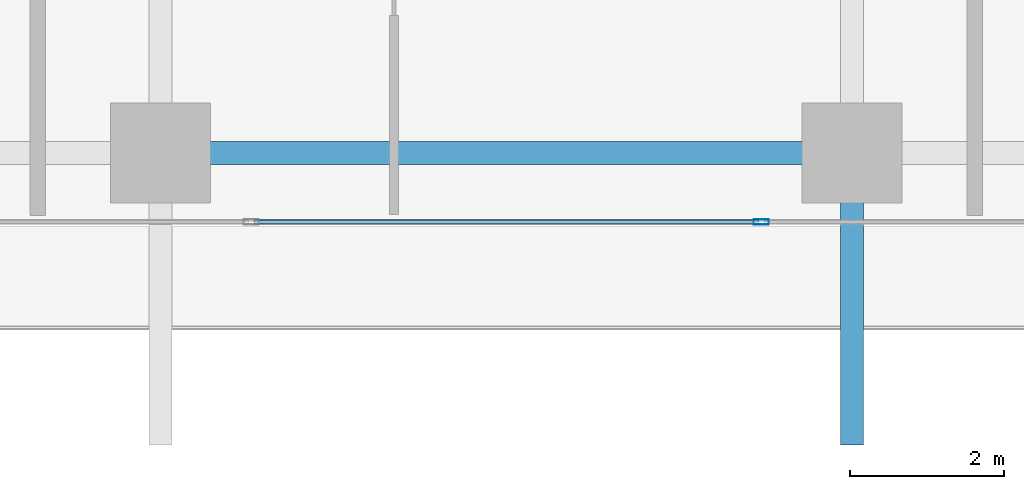
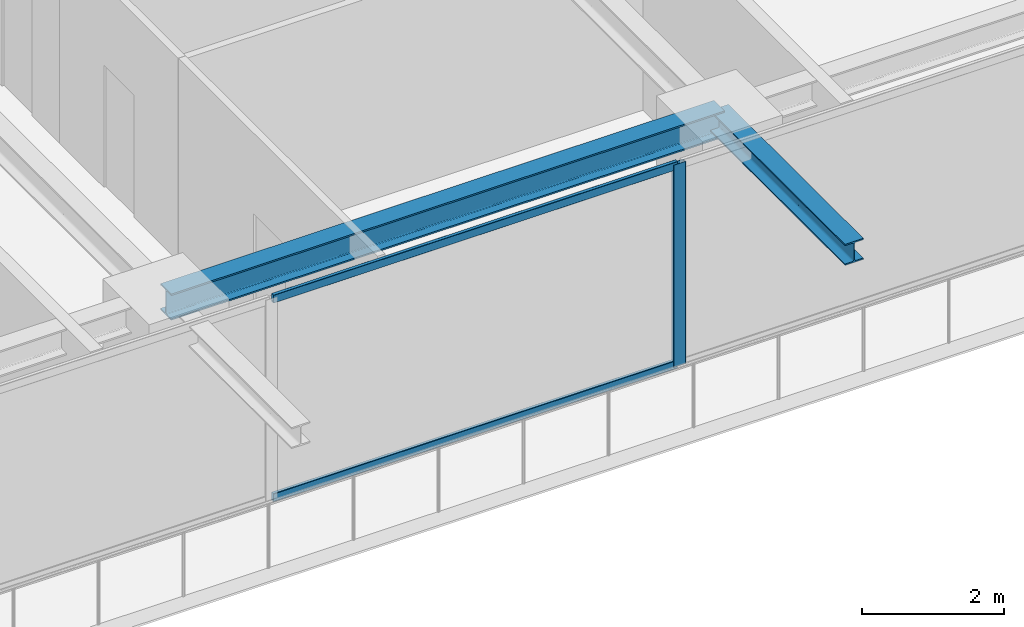
# One storey, part 6 of 37: 3 members, 2 beams, 1 element without a shape of its own.
"""IFC4 building model written with IfcOpenShell, lengths in metres."""

from ifc_helpers import new_model, si_unit, direction, frame, origin, origin_2d, place, context, subcontext, project, spatial, hollow_rectangle, i_section, extrude, source, transform, mapped, material, layer, layer_set, material_profile, profile_set, type_object, element, aggregate, save


model = new_model("IFC4")

# Units and contexts
model_context = context("Model", 3, precision=1e-05, world=origin(), true_north=direction((0.0, 1.0)))
body_context = subcontext(model_context, "Body", "Model", "MODEL_VIEW")
ifc_project = project(units=[si_unit("LENGTHUNIT", "METRE"), si_unit("AREAUNIT", "SQUARE_METRE"), si_unit("VOLUMEUNIT", "CUBIC_METRE"), si_unit("PLANEANGLEUNIT", "RADIAN"), si_unit("MASSUNIT", "GRAM", prefix="KILO")], contexts=[model_context])

# Site, building, storey
site_placement = place(None, origin())
site = spatial("IfcSite", under=ifc_project, at=site_placement, CompositionType="ELEMENT")
building_placement = place(site_placement, origin())
building = spatial("IfcBuilding", under=site, at=building_placement, Name="Serunith Strait Residences", CompositionType="ELEMENT")
storey_placement = place(building_placement, frame((0.0, 0.0, 127.64990234375)))
storey = spatial("IfcBuildingStorey", under=building, at=storey_placement, Name="L31", CompositionType="ELEMENT", Elevation=127.64990234375)

# Beams
ifc_material_1 = material(Name="Steel S355J2", Category="steel")
ifc_material_profile_1 = material_profile(ifc_material_1, i_section(OverallWidth=0.300048828125, OverallDepth=0.449951171875, WebThickness=0.013916015625, FlangeThickness=0.02587890625, FilletRadius=0.027099609375, at=origin_2d()), Name="HEB 450")
ifc_profile_set_1 = profile_set([ifc_material_profile_1], Name="Steel S355J2")
beam_type_1 = type_object("IfcBeamType", Name="BM-HEB450", PredefinedType="BEAM", material=ifc_profile_set_1)
shared_shape_1 = source(origin(), body_context, "Body", "SweptSolid", [
    extrude(i_section(OverallWidth=0.300048828125, OverallDepth=0.449951171875, WebThickness=0.013916015625, FlangeThickness=0.02587890625, FilletRadius=0.027099609375, at=origin_2d()), origin(), (0.0, 0.0, 1.0), 9.0),
])
beam_1_placement = place(storey_placement, frame((27.89990234375, 2.300048828125, 3.26220703125), z_axis=(1.0, 0.0, 0.0), x_axis=(0.0, 1.0, 0.0)))
element("IfcBeam", 1, at=beam_1_placement, inside=storey, type_object=beam_type_1, Name="L31 Perimeter Ring Beam 02", PredefinedType="BEAM", context=body_context, shape_type="MappedRepresentation", body=[
    mapped(shared_shape_1, transform((0.0, 0.0, 0.0), scale=1.0)),
])
ifc_material_profile_2 = material_profile(ifc_material_1, i_section(OverallWidth=0.300048828125, OverallDepth=0.360107421875, WebThickness=0.012451171875, FlangeThickness=0.0224609375, FilletRadius=0.027099609375, at=origin_2d()), Name="HEB 360")
ifc_profile_set_2 = profile_set([ifc_material_profile_2], Name="Steel S355J2")
beam_type_2 = type_object("IfcBeamType", Name="BM-HEB360", PredefinedType="BEAM", material=ifc_profile_set_2)
shared_shape_2 = source(origin(), body_context, "Body", "SweptSolid", [
    extrude(i_section(OverallWidth=0.300048828125, OverallDepth=0.360107421875, WebThickness=0.012451171875, FlangeThickness=0.0224609375, FilletRadius=0.027099609375, at=origin_2d()), origin(), (0.0, 0.0, 1.0), 3.800048828125),
])
beam_2_placement = place(storey_placement, frame((36.89990234375, 2.300048828125, 3.277099609375), z_axis=(0.0, -1.0, 0.0), x_axis=(1.0, 0.0, 0.0)))
element("IfcBeam", 2, at=beam_2_placement, inside=storey, type_object=beam_type_2, Name="L32 Cantilevered Balcony Rib TC-S3", PredefinedType="BEAM", context=body_context, shape_type="MappedRepresentation", body=[
    mapped(shared_shape_2, transform((0.0, 0.0, 0.0), scale=1.0)),
])

# Curtain wall, members
ifc_material_2 = material(Name="Pale-Champagne Anodised Aluminium", Category="aluminium")
ifc_layer = layer(ifc_material_2, 0.199951171875, Name="Pale-Champagne Anodised Aluminium")
ifc_layer_set = layer_set([ifc_layer], Name="Pale-Champagne Anodised Aluminium")
curtain_wall_type = type_object("IfcCurtainWallType", Name="CW-SYS2", PredefinedType="NOTDEFINED", material=ifc_layer_set)
curtain_wall_placement = place(storey_placement, origin())
curtain_wall = element("IfcCurtainWall", 3, at=curtain_wall_placement, inside=storey, type_object=curtain_wall_type, Name="L31 S Unitised Fritted Curtain Wall", PredefinedType="NOTDEFINED")
ifc_material_profile_3 = material_profile(ifc_material_2, hollow_rectangle(XDim=0.070068359375, YDim=0.199951171875, WallThickness=0.00390625, InnerFilletRadius=0.006103515625, OuterFilletRadius=0.010009765625, at=origin_2d()), Name="ALU 200x70x4")
ifc_profile_set_3 = profile_set([ifc_material_profile_3], Name="Pale-Champagne Anodised Aluminium")
member_type_1 = type_object("IfcMemberType", Name="CW-SYS2-MULL", PredefinedType="MULLION", material=ifc_profile_set_3)
shared_shape_3 = source(origin(), body_context, "Body", "SweptSolid", [
    extrude(hollow_rectangle(XDim=0.070068359375, YDim=0.199951171875, WallThickness=0.00390625, InnerFilletRadius=0.006103515625, OuterFilletRadius=0.010009765625, at=origin_2d()), origin(), (0.0, 0.0, 1.0), 3.47509765625),
])
member_1_placement = place(storey_placement, frame((35.719970703125, 1.39990234375, 0.0), z_axis=(0.0, 0.0, 1.0), x_axis=(0.0, 1.0, 0.0)))
member_1 = element("IfcMember", 4, at=member_1_placement, type_object=member_type_1, Name="CW-2 mullion 4", PredefinedType="MULLION", context=body_context, shape_type="MappedRepresentation", body=[
    mapped(shared_shape_3, transform((0.0, 0.0, 0.0), scale=1.0)),
])
ifc_material_profile_4 = material_profile(ifc_material_2, hollow_rectangle(XDim=0.06005859375, YDim=0.139892578125, WallThickness=0.00341796875, InnerFilletRadius=0.00537109375, OuterFilletRadius=0.0087890625, at=origin_2d()), Name="ALU 140x60x3.5")
ifc_profile_set_4 = profile_set([ifc_material_profile_4], Name="Pale-Champagne Anodised Aluminium")
member_type_2 = type_object("IfcMemberType", Name="CW-SYS2-TRAN", PredefinedType="USERDEFINED", material=ifc_profile_set_4)
shared_shape_4 = source(origin(), body_context, "Body", "SweptSolid", [
    extrude(hollow_rectangle(XDim=0.06005859375, YDim=0.139892578125, WallThickness=0.00341796875, InnerFilletRadius=0.00537109375, OuterFilletRadius=0.0087890625, at=origin_2d()), origin(), (0.0, 0.0, 1.0), 6.570068359375),
])
member_2_placement = place(storey_placement, frame((29.114990234375, 1.39990234375, 0.030029296875), z_axis=(1.0, 0.0, 0.0), x_axis=(0.0, 1.0, 0.0)))
member_2 = element("IfcMember", 5, at=member_2_placement, type_object=member_type_2, Name="CW-2 transom 3.1", ObjectType="TRANSOM", PredefinedType="USERDEFINED", context=body_context, shape_type="MappedRepresentation", body=[
    mapped(shared_shape_4, transform((0.0, 0.0, 0.0), scale=1.0)),
])
member_3_placement = place(storey_placement, frame((29.114990234375, 1.39990234375, 3.445068359375), z_axis=(1.0, 0.0, 0.0), x_axis=(0.0, 1.0, 0.0)))
member_3 = element("IfcMember", 6, at=member_3_placement, type_object=member_type_2, Name="CW-2 transom 3.2", ObjectType="TRANSOM", PredefinedType="USERDEFINED", context=body_context, shape_type="MappedRepresentation", body=[
    mapped(shared_shape_4, transform((0.0, 0.0, 0.0), scale=1.0)),
])
aggregate(curtain_wall, [member_1, member_2, member_3])

save(model, "model.ifc")
